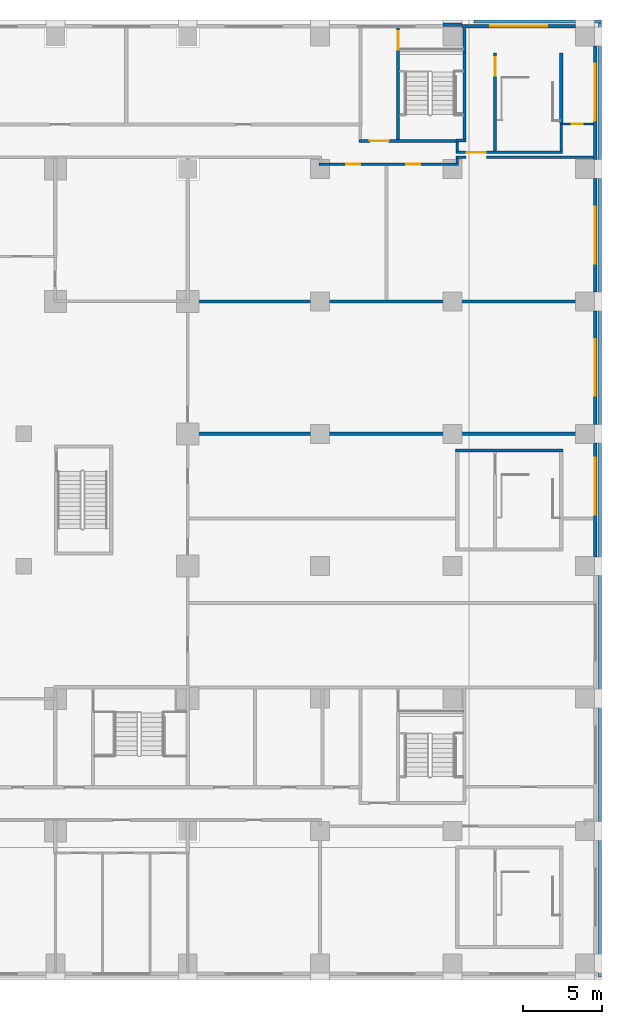
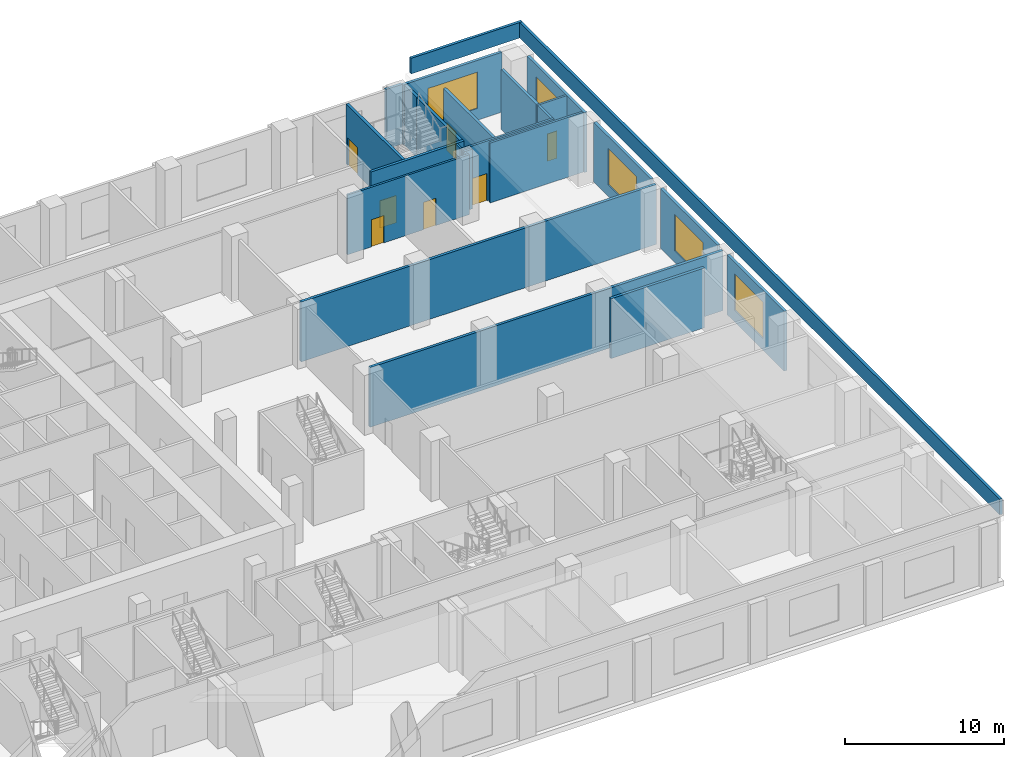
# One storey, part 12 of 23: 26 walls, 7 doors, 5 windows, 12 openings.
"""IFC4 building model written with IfcOpenShell, lengths in metres."""

import ifcopenshell
import ifcopenshell.guid

model = None  # the IFC model being written
_history = None  # IfcOwnerHistory: only IFC2X3 demands one
_inside = {}  # id of a spatial element -> (the spatial element, [elements in it])
_under = {}  # id of a project, library or spatial element -> (it, [spatial elements below it])
_declared = {}  # id of a project -> (the project, [libraries it declares])
_typed = {}  # id of a type object -> (the type object, [elements of that type])
_made_of = {}  # id of a material, layer set ... -> (it, [elements and type objects made of it])


def new_model(schema):
    """Start an empty IFC model of exactly this schema.

    Asked for "IFC4X3", IfcOpenShell would pick the latest addendum, in which some entities
    have other attributes; the version numbers below select the first issue.
    IFC2X3 requires an IfcOwnerHistory on every rooted entity: one is made here for all.
    """
    global model, _history
    if schema == "IFC4X3":
        model = ifcopenshell.file(schema_version=(4, 3, 0, 0))
    else:
        model = ifcopenshell.file(schema=schema)
    _inside.clear()
    _under.clear()
    _declared.clear()
    _typed.clear()
    _made_of.clear()
    _history = None
    if model.schema == "IFC2X3":
        org = make("IfcOrganization", Name="unknown")
        user = make(
            "IfcPersonAndOrganization",
            ThePerson=make("IfcPerson", FamilyName="unknown"),
            TheOrganization=org,
        )
        app = make(
            "IfcApplication",
            ApplicationDeveloper=org,
            Version="unknown",
            ApplicationFullName="unknown",
            ApplicationIdentifier="unknown",
        )
        _history = make(
            "IfcOwnerHistory",
            OwningUser=user,
            OwningApplication=app,
            ChangeAction="ADDED",
            CreationDate=0,
        )
    return model


def make(cls, **values):
    """One entity of the class cls with the attributes given. An attribute that is None is left unset."""
    return model.create_entity(
        cls, **{name: value for name, value in values.items() if value is not None}
    )


def rooted(cls, **values):
    """An entity with a GlobalId (a new one), such as an element, a storey or a relation."""
    return make(cls, GlobalId=ifcopenshell.guid.new(), OwnerHistory=_history, **values)


def si_unit(unit_type, name, prefix=None):
    """IfcSIUnit, for example si_unit("LENGTHUNIT", "METRE", prefix="MILLI")."""
    return make("IfcSIUnit", UnitType=unit_type, Prefix=prefix, Name=name)


def assignment(units):
    """IfcUnitAssignment: the units of a project."""
    return None if units is None else make("IfcUnitAssignment", Units=units)


def point(xyz):
    """IfcCartesianPoint."""
    return None if xyz is None else make("IfcCartesianPoint", Coordinates=xyz)


def direction(xyz):
    """IfcDirection."""
    return None if xyz is None else make("IfcDirection", DirectionRatios=xyz)


def frame(location, z_axis=None, x_axis=None):
    """IfcAxis2Placement3D, a coordinate frame: its origin and axes. An axis left out is left unset."""
    return make(
        "IfcAxis2Placement3D",
        Location=point(location),
        Axis=direction(z_axis),
        RefDirection=direction(x_axis),
    )


def frame_2d(location, x_axis=None):
    """IfcAxis2Placement2D, a coordinate frame in the plane: its origin and x axis."""
    return make(
        "IfcAxis2Placement2D", Location=point(location), RefDirection=direction(x_axis)
    )


def origin():
    """The frame at (0, 0, 0) with its axes left unset."""
    return frame((0.0, 0.0, 0.0))


def place(relative_to, where):
    """IfcLocalPlacement: puts the frame where relative to a parent placement (None: the world)."""
    return make(
        "IfcLocalPlacement", PlacementRelTo=relative_to, RelativePlacement=where
    )


def context(
    kind, dimensions, precision=None, world=None, true_north=None, identifier=None
):
    """IfcGeometricRepresentationContext, for example the 3D "Model" context."""
    return make(
        "IfcGeometricRepresentationContext",
        ContextIdentifier=identifier,
        ContextType=kind,
        CoordinateSpaceDimension=dimensions,
        Precision=precision,
        WorldCoordinateSystem=world,
        TrueNorth=true_north,
    )


def subcontext(parent, identifier, kind, view, scale=None):
    """IfcGeometricRepresentationSubContext, for example "Body" below "Model"."""
    return make(
        "IfcGeometricRepresentationSubContext",
        ContextIdentifier=identifier,
        ContextType=kind,
        ParentContext=parent,
        TargetScale=scale,
        TargetView=view,
    )


def project(units=None, contexts=None):
    """IfcProject with its units and contexts."""
    return rooted(
        "IfcProject",
        Name="project",
        RepresentationContexts=contexts,
        UnitsInContext=assignment(units),
    )


def spatial(cls, under=None, at=None, **own):
    """A site, building, storey or space (cls), placed at a placement, below another one or the project."""
    s = rooted(cls, ObjectPlacement=at, **own)
    if under is not None:
        _under.setdefault(under.id(), (under, []))[1].append(s)
    return s


def profile(cls, at=None, kind="AREA", **sizes):
    """A parametric profile (cls). Its sizes go by their IFC names, for example OverallWidth=200.0."""
    return make(cls, ProfileType=kind, Position=at, **sizes)


def rectangle(**sizes):
    """IfcRectangleProfileDef."""
    return profile("IfcRectangleProfileDef", **sizes)


def extrude(swept, where, along, depth):
    """IfcExtrudedAreaSolid: the profile swept, set in the frame where, extruded along a direction by depth."""
    return make(
        "IfcExtrudedAreaSolid",
        SweptArea=swept,
        Position=where,
        ExtrudedDirection=direction(along),
        Depth=depth,
    )


def shape(context_of_items, identifier, shape_type, items):
    """IfcShapeRepresentation: the items that make up one representation, for example the "Body"."""
    return make(
        "IfcShapeRepresentation",
        ContextOfItems=context_of_items,
        RepresentationIdentifier=identifier,
        RepresentationType=shape_type,
        Items=items,
    )


def material(Name=None, Category=None):
    """IfcMaterial."""
    return make("IfcMaterial", Name=Name, Category=Category)


def layer(
    of_material, thickness, ventilated=None, Name=None, Category=None, Priority=None
):
    """IfcMaterialLayer: one layer of a wall or slab, of a material (None: an air gap)."""
    return make(
        "IfcMaterialLayer",
        Material=of_material,
        LayerThickness=thickness,
        IsVentilated=ventilated,
        Name=Name,
        Category=Category,
        Priority=Priority,
    )


def layer_set(layers, Name=None):
    """IfcMaterialLayerSet."""
    return make("IfcMaterialLayerSet", MaterialLayers=layers, LayerSetName=Name)


def made_of(thing, what):
    """Note that an element or type object is made of a material, layer set ...; save() writes the relation."""
    if what is not None:
        _made_of.setdefault(what.id(), (what, []))[1].append(thing)
    return thing


def type_object(cls, material=None, **own):
    """A type object (cls), such as IfcWallType, which elements share."""
    return made_of(rooted(cls, **own), material)


def element(
    cls,
    number,
    at=None,
    inside=None,
    cuts=None,
    type_object=None,
    material=None,
    context=None,
    identifier="Body",
    shape_type=None,
    held_by="IfcProductDefinitionShape",
    body=None,
    shapes=None,
    **own,
):
    """One element of the class cls, such as IfcWall. Its Tag is "e" and its number.

    at: its placement. inside: the storey or other place that contains it. cuts: it is an
    opening in that element (IfcRelVoidsElement). A single representation is given by context,
    identifier, shape_type and body (its items); several are given by shapes. held_by: the class
    of the entity that holds the representations. save() writes the other relations.
    """
    e = rooted(cls, Tag="e%d" % number, ObjectPlacement=at, **own)
    if body is not None:
        shapes = [shape(context, identifier, shape_type, body)]
    if shapes is not None:
        e.Representation = make(held_by, Representations=shapes)
    if inside is not None:
        _inside.setdefault(inside.id(), (inside, []))[1].append(e)
    if cuts is not None:
        rooted(
            "IfcRelVoidsElement", RelatingBuildingElement=cuts, RelatedOpeningElement=e
        )
    if type_object is not None:
        _typed.setdefault(type_object.id(), (type_object, []))[1].append(e)
    return made_of(e, material)


def fill(opening, filler):
    """IfcRelFillsElement: the door or window that sits in an opening."""
    return rooted(
        "IfcRelFillsElement",
        RelatingOpeningElement=opening,
        RelatedBuildingElement=filler,
    )


def aggregate(whole, parts):
    """IfcRelAggregates: a whole, such as a stair, and the parts it consists of."""
    return rooted("IfcRelAggregates", RelatingObject=whole, RelatedObjects=parts)


def save(model, path):
    """Write the relations noted so far, then the file.

    IfcRelAggregates (storeys below a building ...), IfcRelContainedInSpatialStructure (elements
    in a storey), IfcRelDefinesByType, IfcRelAssociatesMaterial and IfcRelDeclares: one each for
    every whole, place, type object, material and project.
    """
    for whole, parts in _under.values():
        aggregate(whole, parts)
    for where, things in _inside.values():
        rooted(
            "IfcRelContainedInSpatialStructure",
            RelatedElements=things,
            RelatingStructure=where,
        )
    for kind, things in _typed.values():
        rooted("IfcRelDefinesByType", RelatedObjects=things, RelatingType=kind)
    for what, things in _made_of.values():
        rooted("IfcRelAssociatesMaterial", RelatedObjects=things, RelatingMaterial=what)
    for by, libraries in _declared.values():
        rooted("IfcRelDeclares", RelatingContext=by, RelatedDefinitions=libraries)
    model.write(path)


model = new_model("IFC4")

# Units and contexts
model_context = context("Model", 3, precision=1e-05, world=origin(), true_north=direction((0.0, 1.0)))
body_context = subcontext(model_context, "Body", "Model", "MODEL_VIEW")
ifc_project = project(units=[si_unit("LENGTHUNIT", "METRE"), si_unit("AREAUNIT", "SQUARE_METRE"), si_unit("VOLUMEUNIT", "CUBIC_METRE"), si_unit("PLANEANGLEUNIT", "RADIAN"), si_unit("MASSUNIT", "GRAM", prefix="KILO")], contexts=[model_context])

# Site, building, storey
site_placement = place(None, origin())
site = spatial("IfcSite", under=ifc_project, at=site_placement, CompositionType="ELEMENT")
building_placement = place(site_placement, origin())
building = spatial("IfcBuilding", under=site, at=building_placement, Name="Vermilion Ogive Tower", CompositionType="ELEMENT")
storey_placement = place(building_placement, frame((0.0, 0.0, 20.0)))
storey = spatial("IfcBuildingStorey", under=building, at=storey_placement, Name="L03", CompositionType="ELEMENT", Elevation=20.0)

# Wall, openings, doors
ifc_material_1 = material(Name="Gypsum board partition on steel studs", Category="steel")
ifc_layer_1 = layer(ifc_material_1, 0.14990234375)
ifc_layer_set_1 = layer_set([ifc_layer_1], Name="Partition 150 corridor")
wall_type_1 = type_object("IfcWallType", Name="Partition 150 corridor", PredefinedType="PARTITIONING", material=ifc_layer_set_1)
wall_1_placement = place(storey_placement, frame((33.52490234375, 21.300048828125, 0.0), z_axis=(0.0, 0.0, 1.0), x_axis=(1.0, 0.0, 0.0)))
wall_1 = element("IfcWall", 1, at=wall_1_placement, inside=storey, type_object=wall_type_1, Name="L03-FS-W-W032", PredefinedType="PARTITIONING", context=body_context, shape_type="SweptSolid", body=[
    extrude(rectangle(XDim=8.85009765625, YDim=0.14990234375, at=frame_2d((4.425048828125, 0.0))), origin(), (0.0, 0.0, 1.0), 4.60009765625),
])
opening_1_placement = place(wall_1_placement, frame((1.72509765625, 0.0, 0.0)))
opening_1 = element("IfcOpeningElement", 2, at=opening_1_placement, cuts=wall_1, Name="Opening L03S034", PredefinedType="OPENING", context=body_context, shape_type="SweptSolid", body=[
    extrude(rectangle(XDim=0.89990234375, YDim=2.10009765625, at=frame_2d((0.449951171875, 1.050048828125))), frame((0.0, 0.0849609375, 0.0), z_axis=(0.0, -1.0, 0.0), x_axis=(1.0, 0.0, 0.0)), (0.0, 0.0, 1.0), 0.169921875),
])
opening_2_placement = place(wall_1_placement, frame((5.525146484375, 0.0, 0.0)))
opening_2 = element("IfcOpeningElement", 3, at=opening_2_placement, cuts=wall_1, Name="Opening L03S035", PredefinedType="OPENING", context=body_context, shape_type="SweptSolid", body=[
    extrude(rectangle(XDim=0.89990234375, YDim=2.10009765625, at=frame_2d((0.449951171875, 1.050048828125))), frame((0.0, 0.0849609375, 0.0), z_axis=(0.0, -1.0, 0.0), x_axis=(1.0, 0.0, 0.0)), (0.0, 0.0, 1.0), 0.169921875),
])
ifc_material_2 = material(Name="Timber door leaf", Category="wood")
door_type_1 = type_object("IfcDoorType", Name="Room door 900 x 2100 FD30", OperationType="SINGLE_SWING_LEFT", PredefinedType="DOOR", material=ifc_material_2)
door_1_placement = place(opening_1_placement, origin())
door_1 = element("IfcDoor", 4, at=door_1_placement, inside=storey, type_object=door_type_1, Name="L03-FS-D-D034", OperationType="SINGLE_SWING_LEFT", OverallHeight=2.10009765625, OverallWidth=0.89990234375, PredefinedType="DOOR", context=body_context, shape_type="SweptSolid", body=[
    extrude(rectangle(XDim=0.89990234375, YDim=2.10009765625, at=frame_2d((0.449951171875, 1.050048828125))), frame((0.0, 0.02490234375, 0.0), z_axis=(0.0, -1.0, 0.0), x_axis=(1.0, 0.0, 0.0)), (0.0, 0.0, 1.0), 0.050048828125),
])
fill(opening_1, door_1)
door_2_placement = place(opening_2_placement, origin())
door_2 = element("IfcDoor", 5, at=door_2_placement, inside=storey, type_object=door_type_1, Name="L03-FS-D-D035", OperationType="SINGLE_SWING_LEFT", OverallHeight=2.10009765625, OverallWidth=0.89990234375, PredefinedType="DOOR", context=body_context, shape_type="SweptSolid", body=[
    extrude(rectangle(XDim=0.89990234375, YDim=2.10009765625, at=frame_2d((0.449951171875, 1.050048828125))), frame((0.0, 0.02490234375, 0.0), z_axis=(0.0, -1.0, 0.0), x_axis=(1.0, 0.0, 0.0)), (0.0, 0.0, 1.0), 0.050048828125),
])
fill(opening_2, door_2)

# Wall
wall_2_placement = place(storey_placement, frame((42.22509765625, 21.75, 0.0), z_axis=(0.0, 0.0, 1.0), x_axis=(1.0, 0.0, 0.0)))
element("IfcWall", 6, at=wall_2_placement, inside=storey, type_object=wall_type_1, Name="L03-FS-W-W035", PredefinedType="PARTITIONING", context=body_context, shape_type="SweptSolid", body=[
    extrude(rectangle(XDim=0.624755859375, YDim=0.14990234375, at=frame_2d((0.3125, 0.0))), origin(), (0.0, 0.0, 1.0), 4.60009765625),
])

# Wall, opening, door
wall_3_placement = place(storey_placement, frame((42.22509765625, 22.050048828125, 0.0), z_axis=(0.0, 0.0, 1.0), x_axis=(1.0, 0.0, 0.0)))
wall_3 = element("IfcWall", 7, at=wall_3_placement, inside=storey, type_object=wall_type_1, Name="L03-FS-W-W036", PredefinedType="PARTITIONING", context=body_context, shape_type="SweptSolid", body=[
    extrude(rectangle(XDim=6.75, YDim=0.14990234375, at=frame_2d((3.375, 0.0))), origin(), (0.0, 0.0, 1.0), 4.60009765625),
])
opening_3_placement = place(wall_3_placement, frame((0.6748046875, 0.0, 0.0)))
opening_3 = element("IfcOpeningElement", 8, at=opening_3_placement, cuts=wall_3, Name="Opening L03S016", PredefinedType="OPENING", context=body_context, shape_type="SweptSolid", body=[
    extrude(rectangle(XDim=1.199951171875, YDim=2.10009765625, at=frame_2d((0.60009765625, 1.050048828125))), frame((0.0, 0.0849609375, 0.0), z_axis=(0.0, -1.0, 0.0), x_axis=(1.0, 0.0, 0.0)), (0.0, 0.0, 1.0), 0.169921875),
])
ifc_material_3 = material(Name="Timber door leaf", Category="wood")
door_type_2 = type_object("IfcDoorType", Name="Stair door 1200 x 2100 FD60S", OperationType="SINGLE_SWING_LEFT", PredefinedType="DOOR", material=ifc_material_3)
door_3_placement = place(opening_3_placement, origin())
door_3 = element("IfcDoor", 9, at=door_3_placement, inside=storey, type_object=door_type_2, Name="L03-FS-D-D016", OperationType="SINGLE_SWING_LEFT", OverallHeight=2.10009765625, OverallWidth=1.199951171875, PredefinedType="DOOR", context=body_context, shape_type="SweptSolid", body=[
    extrude(rectangle(XDim=1.199951171875, YDim=2.10009765625, at=frame_2d((0.60009765625, 1.050048828125))), frame((0.0, 0.02490234375, 0.0), z_axis=(0.0, -1.0, 0.0), x_axis=(1.0, 0.0, 0.0)), (0.0, 0.0, 1.0), 0.050048828125),
])
fill(opening_3, door_3)

wall_4_placement = place(storey_placement, frame((48.8125, 23.85009765625, 0.0), z_axis=(0.0, 0.0, 1.0), x_axis=(1.0, 0.0, 0.0)))
wall_4 = element("IfcWall", 10, at=wall_4_placement, inside=storey, type_object=wall_type_1, Name="L03-FS-W-W042", PredefinedType="PARTITIONING", context=body_context, shape_type="SweptSolid", body=[
    extrude(rectangle(XDim=2.137451171875, YDim=0.14990234375, at=frame_2d((1.06884765625, 0.0))), origin(), (0.0, 0.0, 1.0), 4.60009765625),
])
opening_4_placement = place(wall_4_placement, frame((0.762451171875, 0.0, 0.0)))
opening_4 = element("IfcOpeningElement", 11, at=opening_4_placement, cuts=wall_4, Name="Opening L03S055", PredefinedType="OPENING", context=body_context, shape_type="SweptSolid", body=[
    extrude(rectangle(XDim=0.699951171875, YDim=2.10009765625, at=frame_2d((0.35009765625, 1.050048828125))), frame((0.0, 0.0849609375, 0.0), z_axis=(0.0, -1.0, 0.0), x_axis=(1.0, 0.0, 0.0)), (0.0, 0.0, 1.0), 0.169921875),
])
ifc_material_4 = material(Name="Timber door leaf", Category="wood")
door_type_3 = type_object("IfcDoorType", Name="Room door 700 x 2100 FD30", OperationType="SINGLE_SWING_LEFT", PredefinedType="DOOR", material=ifc_material_4)
door_4_placement = place(opening_4_placement, origin())
door_4 = element("IfcDoor", 12, at=door_4_placement, inside=storey, type_object=door_type_3, Name="L03-FS-D-D055", OperationType="SINGLE_SWING_RIGHT", OverallHeight=2.10009765625, OverallWidth=0.699951171875, PredefinedType="DOOR", context=body_context, shape_type="SweptSolid", body=[
    extrude(rectangle(XDim=0.699951171875, YDim=2.10009765625, at=frame_2d((0.35009765625, 1.050048828125))), frame((0.0, 0.02490234375, 0.0), z_axis=(0.0, -1.0, 0.0), x_axis=(1.0, 0.0, 0.0)), (0.0, 0.0, 1.0), 0.050048828125),
])
fill(opening_4, door_4)

# Walls
wall_5_placement = place(storey_placement, frame((42.300048828125, 21.375, 0.0), z_axis=(0.0, 0.0, 1.0), x_axis=(0.0, 1.0, 0.0)))
element("IfcWall", 13, at=wall_5_placement, inside=storey, type_object=wall_type_1, Name="L03-FS-W-W095", PredefinedType="PARTITIONING", context=body_context, shape_type="SweptSolid", body=[
    extrude(rectangle(XDim=0.300048828125, YDim=0.14990234375, at=frame_2d((0.14990234375, 0.0))), origin(), (0.0, 0.0, 1.0), 4.60009765625),
])
wall_6_placement = place(storey_placement, frame((42.300048828125, 22.125, 0.0), z_axis=(0.0, 0.0, 1.0), x_axis=(0.0, 1.0, 0.0)))
element("IfcWall", 14, at=wall_6_placement, inside=storey, type_object=wall_type_1, Name="L03-FS-W-W096", PredefinedType="PARTITIONING", context=body_context, shape_type="SweptSolid", body=[
    extrude(rectangle(XDim=0.574951171875, YDim=0.14990234375, at=frame_2d((0.28759765625, 0.0))), origin(), (0.0, 0.0, 1.0), 4.60009765625),
])
wall_7_placement = place(storey_placement, frame((48.89990234375, 22.125, 0.0), z_axis=(0.0, 0.0, 1.0), x_axis=(0.0, 1.0, 0.0)))
element("IfcWall", 15, at=wall_7_placement, inside=storey, type_object=wall_type_1, Name="L03-FS-W-W105", PredefinedType="PARTITIONING", context=body_context, shape_type="SweptSolid", body=[
    extrude(rectangle(XDim=1.64990234375, YDim=0.14990234375, at=frame_2d((0.824951171875, 0.0))), origin(), (0.0, 0.0, 1.0), 4.60009765625),
])
wall_8_placement = place(storey_placement, frame((44.14990234375, 21.75, 0.0), z_axis=(0.0, 0.0, 1.0), x_axis=(1.0, 0.0, 0.0)))
element("IfcWall", 16, at=wall_8_placement, inside=storey, type_object=wall_type_1, Name="L03-FS-W-W035-DO", PredefinedType="PARTITIONING", context=body_context, shape_type="SweptSolid", body=[
    extrude(rectangle(XDim=6.800048828125, YDim=0.14990234375, at=frame_2d((3.39990234375, 0.0))), origin(), (0.0, 0.0, 1.0), 4.60009765625),
])
ifc_material_5 = material(Name="Gypsum board partition on steel studs", Category="steel")
ifc_layer_2 = layer(ifc_material_5, 0.199951171875)
ifc_layer_set_2 = layer_set([ifc_layer_2], Name="Partition 200 party")
wall_type_2 = type_object("IfcWallType", Name="Partition 200 party", PredefinedType="PARTITIONING", material=ifc_layer_set_2)
wall_9_placement = place(storey_placement, frame((42.199951171875, 3.14990234375, 0.0), z_axis=(0.0, 0.0, 1.0), x_axis=(1.0, 0.0, 0.0)))
element("IfcWall", 17, at=wall_9_placement, inside=storey, type_object=wall_type_2, Name="L03-FS-W-W026", PredefinedType="PARTITIONING", context=body_context, shape_type="SweptSolid", body=[
    extrude(rectangle(XDim=6.800048828125, YDim=0.199951171875, at=frame_2d((3.39990234375, 0.0))), origin(), (0.0, 0.0, 1.0), 4.60009765625),
])
wall_10_placement = place(storey_placement, frame((25.27490234375, 4.199951171875, 0.0), z_axis=(0.0, 0.0, 1.0), x_axis=(1.0, 0.0, 0.0)))
element("IfcWall", 18, at=wall_10_placement, inside=storey, type_object=wall_type_2, Name="L03-FS-W-W027", PredefinedType="PARTITIONING", context=body_context, shape_type="SweptSolid", body=[
    extrude(rectangle(XDim=25.675048828125, YDim=0.199951171875, at=frame_2d((12.83740234375, 0.0))), origin(), (0.0, 0.0, 1.0), 4.60009765625),
])
wall_11_placement = place(storey_placement, frame((25.10009765625, 12.60009765625, 0.0), z_axis=(0.0, 0.0, 1.0), x_axis=(1.0, 0.0, 0.0)))
element("IfcWall", 19, at=wall_11_placement, inside=storey, type_object=wall_type_2, Name="L03-FS-W-W030", PredefinedType="PARTITIONING", context=body_context, shape_type="SweptSolid", body=[
    extrude(rectangle(XDim=25.849853515625, YDim=0.199951171875, at=frame_2d((12.9248046875, 0.0))), origin(), (0.0, 0.0, 1.0), 4.60009765625),
])

# Wall, opening, door
wall_12_placement = place(storey_placement, frame((44.699951171875, 22.125, 0.0), z_axis=(0.0, 0.0, 1.0), x_axis=(0.0, 1.0, 0.0)))
wall_12 = element("IfcWall", 20, at=wall_12_placement, inside=storey, type_object=wall_type_2, Name="L03-FS-W-W102", PredefinedType="PARTITIONING", context=body_context, shape_type="SweptSolid", body=[
    extrude(rectangle(XDim=6.22509765625, YDim=0.199951171875, at=frame_2d((3.112548828125, 0.0))), origin(), (0.0, 0.0, 1.0), 4.60009765625),
])
opening_5_placement = place(wall_12_placement, frame((4.77490234375, 0.0, 0.0)))
opening_5 = element("IfcOpeningElement", 21, at=opening_5_placement, cuts=wall_12, Name="Opening L03S007", PredefinedType="OPENING", context=body_context, shape_type="SweptSolid", body=[
    extrude(rectangle(XDim=1.199951171875, YDim=2.10009765625, at=frame_2d((0.60009765625, 1.050048828125))), frame((0.0, 0.10986328125, 0.0), z_axis=(0.0, -1.0, 0.0), x_axis=(1.0, 0.0, 0.0)), (0.0, 0.0, 1.0), 0.219970703125),
])
door_5_placement = place(opening_5_placement, origin())
door_5 = element("IfcDoor", 22, at=door_5_placement, inside=storey, type_object=door_type_2, Name="L03-FS-D-D007", OperationType="DOUBLE_DOOR_SINGLE_SWING", OverallHeight=2.10009765625, OverallWidth=1.199951171875, PredefinedType="DOOR", context=body_context, shape_type="SweptSolid", body=[
    extrude(rectangle(XDim=1.199951171875, YDim=2.10009765625, at=frame_2d((0.60009765625, 1.050048828125))), frame((0.0, 0.02490234375, 0.0), z_axis=(0.0, -1.0, 0.0), x_axis=(1.0, 0.0, 0.0)), (0.0, 0.0, 1.0), 0.050048828125),
])
fill(opening_5, door_5)

# Wall
wall_13_placement = place(storey_placement, frame((48.89990234375, 23.925048828125, 0.0), z_axis=(0.0, 0.0, 1.0), x_axis=(0.0, 1.0, 0.0)))
element("IfcWall", 23, at=wall_13_placement, inside=storey, type_object=wall_type_2, Name="L03-FS-W-W106", PredefinedType="PARTITIONING", context=body_context, shape_type="SweptSolid", body=[
    extrude(rectangle(XDim=4.425048828125, YDim=0.199951171875, at=frame_2d((2.21240234375, 0.0))), origin(), (0.0, 0.0, 1.0), 4.60009765625),
])

# Wall, opening, door
ifc_material_6 = material(Name="Concrete B60", Category="concrete")
ifc_layer_3 = layer(ifc_material_6, 0.199951171875)
ifc_layer_set_3 = layer_set([ifc_layer_3], Name="Stair shaft wall 200 Concrete B60")
wall_type_3 = type_object("IfcWallType", Name="Stair shaft wall 200 Concrete B60", PredefinedType="SOLIDWALL", material=ifc_layer_set_3)
wall_14_placement = place(storey_placement, frame((36.074951171875, 22.775146484375, 0.0), z_axis=(0.0, 0.0, 1.0), x_axis=(1.0, 0.0, 0.0)))
wall_14 = element("IfcWall", 24, at=wall_14_placement, inside=storey, type_object=wall_type_3, Name="L03-FS-W-W037", PredefinedType="SOLIDWALL", context=body_context, shape_type="SweptSolid", body=[
    extrude(rectangle(XDim=6.300048828125, YDim=0.199951171875, at=frame_2d((3.14990234375, 0.0))), origin(), (0.0, 0.0, 1.0), 4.60009765625),
])
opening_6_placement = place(wall_14_placement, frame((0.675048828125, 0.0, 0.0)))
opening_6 = element("IfcOpeningElement", 25, at=opening_6_placement, cuts=wall_14, Name="Opening L03S011", PredefinedType="OPENING", context=body_context, shape_type="SweptSolid", body=[
    extrude(rectangle(XDim=1.199951171875, YDim=2.10009765625, at=frame_2d((0.60009765625, 1.050048828125))), frame((0.0, 0.10986328125, 0.0), z_axis=(0.0, -1.0, 0.0), x_axis=(1.0, 0.0, 0.0)), (0.0, 0.0, 1.0), 0.219970703125),
])
door_6_placement = place(opening_6_placement, origin())
door_6 = element("IfcDoor", 26, at=door_6_placement, inside=storey, type_object=door_type_2, Name="L03-FS-D-D011", OperationType="SINGLE_SWING_LEFT", OverallHeight=2.10009765625, OverallWidth=1.199951171875, PredefinedType="DOOR", context=body_context, shape_type="SweptSolid", body=[
    extrude(rectangle(XDim=1.199951171875, YDim=2.10009765625, at=frame_2d((0.60009765625, 1.050048828125))), frame((0.0, 0.02490234375, 0.0), z_axis=(0.0, -1.0, 0.0), x_axis=(1.0, 0.0, 0.0)), (0.0, 0.0, 1.0), 0.050048828125),
])
fill(opening_6, door_6)

# Wall
wall_15_placement = place(storey_placement, frame((42.22509765625, 22.800048828125, 0.0), z_axis=(0.0, 0.0, 1.0), x_axis=(1.0, 0.0, 0.0)))
element("IfcWall", 27, at=wall_15_placement, inside=storey, type_object=wall_type_3, Name="L03-FS-W-W038", PredefinedType="SOLIDWALL", context=body_context, shape_type="SweptSolid", body=[
    extrude(rectangle(XDim=0.625, YDim=0.199951171875, at=frame_2d((0.3125, 0.0))), origin(), (0.0, 0.0, 1.0), 4.60009765625),
])

# Wall, opening, door
wall_16_placement = place(storey_placement, frame((38.550048828125, 22.875, 0.0), z_axis=(0.0, 0.0, 1.0), x_axis=(0.0, 1.0, 0.0)))
wall_16 = element("IfcWall", 28, at=wall_16_placement, inside=storey, type_object=wall_type_3, Name="L03-FS-W-W092", PredefinedType="SOLIDWALL", context=body_context, shape_type="SweptSolid", body=[
    extrude(rectangle(XDim=7.074951171875, YDim=0.199951171875, at=frame_2d((3.53759765625, 0.0))), origin(), (0.0, 0.0, 1.0), 4.60009765625),
])
opening_7_placement = place(wall_16_placement, frame((5.675048828125, 0.0, 0.0)))
opening_7 = element("IfcOpeningElement", 29, at=opening_7_placement, cuts=wall_16, Name="Opening L03S002", PredefinedType="OPENING", context=body_context, shape_type="SweptSolid", body=[
    extrude(rectangle(XDim=1.199951171875, YDim=2.10009765625, at=frame_2d((0.60009765625, 1.050048828125))), frame((0.0, 0.10986328125, 0.0), z_axis=(0.0, -1.0, 0.0), x_axis=(1.0, 0.0, 0.0)), (0.0, 0.0, 1.0), 0.219970703125),
])
door_7_placement = place(opening_7_placement, origin())
door_7 = element("IfcDoor", 30, at=door_7_placement, inside=storey, type_object=door_type_2, Name="L03-FS-D-D002", OperationType="DOUBLE_DOOR_SINGLE_SWING", OverallHeight=2.10009765625, OverallWidth=1.199951171875, PredefinedType="DOOR", context=body_context, shape_type="SweptSolid", body=[
    extrude(rectangle(XDim=1.199951171875, YDim=2.10009765625, at=frame_2d((0.60009765625, 1.050048828125))), frame((0.0, 0.02490234375, 0.0), z_axis=(0.0, -1.0, 0.0), x_axis=(1.0, 0.0, 0.0)), (0.0, 0.0, 1.0), 0.050048828125),
])
fill(opening_7, door_7)

# Walls
wall_17_placement = place(storey_placement, frame((42.75, 22.89990234375, 0.0), z_axis=(0.0, 0.0, 1.0), x_axis=(0.0, 1.0, 0.0)))
element("IfcWall", 31, at=wall_17_placement, inside=storey, type_object=wall_type_3, Name="L03-FS-W-W099", PredefinedType="SOLIDWALL", context=body_context, shape_type="SweptSolid", body=[
    extrude(rectangle(XDim=5.4501953125, YDim=0.199951171875, at=frame_2d((2.72509765625, 0.0))), origin(), (0.0, 0.0, 1.0), 4.60009765625),
])
wall_18_placement = place(storey_placement, frame((42.75, 28.35009765625, 0.0), z_axis=(0.0, 0.0, 1.0), x_axis=(0.0, 1.0, 0.0)))
element("IfcWall", 32, at=wall_18_placement, inside=storey, type_object=wall_type_3, Name="L03-SW-R003-E1", PredefinedType="SOLIDWALL", context=body_context, shape_type="SweptSolid", body=[
    extrude(rectangle(XDim=1.5498046875, YDim=0.199951171875, at=frame_2d((0.77490234375, 0.0))), origin(), (0.0, 0.0, 1.0), 4.60009765625),
])
wall_19_placement = place(storey_placement, frame((41.39990234375, 30.14990234375, 0.0), z_axis=(0.0, 0.0, 1.0), x_axis=(1.0, 0.0, 0.0)))
element("IfcWall", 33, at=wall_19_placement, inside=storey, type_object=wall_type_3, Name="L03-SW-R003-N1", PredefinedType="SOLIDWALL", context=body_context, shape_type="SweptSolid", body=[
    extrude(rectangle(XDim=1.2001953125, YDim=0.199951171875, at=frame_2d((0.60009765625, 0.0))), origin(), (0.0, 0.0, 1.0), 4.60009765625),
])
ifc_material_7 = material(Name="Concrete B45", Category="concrete")
ifc_layer_4 = layer(ifc_material_7, 0.199951171875)
ifc_layer_set_4 = layer_set([ifc_layer_4], Name="Terrace parapet RC Concrete B45")
wall_type_4 = type_object("IfcWallType", Name="Terrace parapet RC Concrete B45", PredefinedType="PARAPET", material=ifc_layer_set_4)
wall_20_placement = place(storey_placement, frame((43.35009765625, 30.35009765625, 5.0), z_axis=(0.0, 0.0, 1.0), x_axis=(1.0, 0.0, 0.0)))
element("IfcWall", 34, at=wall_20_placement, inside=storey, type_object=wall_type_4, Name="L03 terrace parapet 3", PredefinedType="PARAPET", context=body_context, shape_type="SweptSolid", body=[
    extrude(rectangle(XDim=8.099853515625, YDim=0.199951171875, at=frame_2d((4.0498046875, 0.0))), origin(), (0.0, 0.0, 1.0), 1.199951171875),
])
wall_21_placement = place(storey_placement, frame((51.35009765625, -30.25, 5.0), z_axis=(0.0, 0.0, 1.0), x_axis=(0.0, 1.0, 0.0)))
element("IfcWall", 35, at=wall_21_placement, inside=storey, type_object=wall_type_4, Name="L03 terrace parapet 4", PredefinedType="PARAPET", context=body_context, shape_type="SweptSolid", body=[
    extrude(rectangle(XDim=60.5, YDim=0.199951171875, at=frame_2d((30.25, 0.0))), origin(), (0.0, 0.0, 1.0), 1.199951171875),
])

# Wall, opening, window
ifc_material_8 = material(Name="Aluminium window wall framing", Category="aluminium")
ifc_layer_5 = layer(ifc_material_8, 0.199951171875)
ifc_layer_set_5 = layer_set([ifc_layer_5], Name="Window wall")
wall_type_5 = type_object("IfcWallType", Name="Window wall", PredefinedType="STANDARD", material=ifc_layer_set_5)
wall_22_placement = place(storey_placement, frame((51.050048828125, -3.60009765625, 0.0), z_axis=(0.0, 0.0, 1.0), x_axis=(0.0, 1.0, 0.0)))
wall_22 = element("IfcWall", 36, at=wall_22_placement, inside=storey, type_object=wall_type_5, Name="Window wall E4", PredefinedType="STANDARD", context=body_context, shape_type="SweptSolid", body=[
    extrude(rectangle(XDim=7.2001953125, YDim=0.199951171875, at=frame_2d((3.60009765625, 0.0))), origin(), (0.0, 0.0, 1.0), 4.60009765625),
])
opening_8_placement = place(wall_22_placement, frame((2.669921875, 0.0, 0.89990234375)))
opening_8 = element("IfcOpeningElement", 37, at=opening_8_placement, cuts=wall_22, Name="Opening P-E4", PredefinedType="OPENING", context=body_context, shape_type="SweptSolid", body=[
    extrude(rectangle(XDim=3.60009765625, YDim=2.800048828125, at=frame_2d((1.800048828125, 1.39990234375))), frame((0.0, 0.10986328125, 0.0), z_axis=(0.0, -1.0, 0.0), x_axis=(1.0, 0.0, 0.0)), (0.0, 0.0, 1.0), 0.219970703125),
])
ifc_material_9 = material(Name="Aluminium framed double glazing", Category="aluminium")
window_type = type_object("IfcWindowType", Name="Podium window P 3600x2800 sill 900", PartitioningType="SINGLE_PANEL", PredefinedType="WINDOW", material=ifc_material_9)
window_1_placement = place(opening_8_placement, origin())
window_1 = element("IfcWindow", 38, at=window_1_placement, inside=storey, type_object=window_type, Name="Window E4", OverallHeight=2.800048828125, OverallWidth=3.60009765625, PartitioningType="SINGLE_PANEL", PredefinedType="WINDOW", context=body_context, shape_type="SweptSolid", body=[
    extrude(rectangle(XDim=3.60009765625, YDim=2.800048828125, at=frame_2d((1.800048828125, 1.39990234375))), frame((0.0, 0.030029296875, 0.0), z_axis=(0.0, -1.0, 0.0), x_axis=(1.0, 0.0, 0.0)), (0.0, 0.0, 1.0), 0.06005859375),
])
fill(opening_8, window_1)

wall_23_placement = place(storey_placement, frame((51.050048828125, 4.800048828125, 0.0), z_axis=(0.0, 0.0, 1.0), x_axis=(0.0, 1.0, 0.0)))
wall_23 = element("IfcWall", 39, at=wall_23_placement, inside=storey, type_object=wall_type_5, Name="Window wall E5", PredefinedType="STANDARD", context=body_context, shape_type="SweptSolid", body=[
    extrude(rectangle(XDim=7.199951171875, YDim=0.199951171875, at=frame_2d((3.60009765625, 0.0))), origin(), (0.0, 0.0, 1.0), 4.60009765625),
])
opening_9_placement = place(wall_23_placement, frame((1.800048828125, 0.0, 0.89990234375)))
opening_9 = element("IfcOpeningElement", 40, at=opening_9_placement, cuts=wall_23, Name="Opening P-E5", PredefinedType="OPENING", context=body_context, shape_type="SweptSolid", body=[
    extrude(rectangle(XDim=3.60009765625, YDim=2.800048828125, at=frame_2d((1.800048828125, 1.39990234375))), frame((0.0, 0.10986328125, 0.0), z_axis=(0.0, -1.0, 0.0), x_axis=(1.0, 0.0, 0.0)), (0.0, 0.0, 1.0), 0.219970703125),
])
window_2_placement = place(opening_9_placement, origin())
window_2 = element("IfcWindow", 41, at=window_2_placement, inside=storey, type_object=window_type, Name="Window E5", OverallHeight=2.800048828125, OverallWidth=3.60009765625, PartitioningType="SINGLE_PANEL", PredefinedType="WINDOW", context=body_context, shape_type="SweptSolid", body=[
    extrude(rectangle(XDim=3.60009765625, YDim=2.800048828125, at=frame_2d((1.800048828125, 1.39990234375))), frame((0.0, 0.030029296875, 0.0), z_axis=(0.0, -1.0, 0.0), x_axis=(1.0, 0.0, 0.0)), (0.0, 0.0, 1.0), 0.06005859375),
])
fill(opening_9, window_2)

wall_24_placement = place(storey_placement, frame((51.050048828125, 13.199951171875, 0.0), z_axis=(0.0, 0.0, 1.0), x_axis=(0.0, 1.0, 0.0)))
wall_24 = element("IfcWall", 42, at=wall_24_placement, inside=storey, type_object=wall_type_5, Name="Window wall E6", PredefinedType="STANDARD", context=body_context, shape_type="SweptSolid", body=[
    extrude(rectangle(XDim=7.199951171875, YDim=0.199951171875, at=frame_2d((3.60009765625, 0.0))), origin(), (0.0, 0.0, 1.0), 4.60009765625),
])
opening_10_placement = place(wall_24_placement, frame((1.800048828125, 0.0, 0.89990234375)))
opening_10 = element("IfcOpeningElement", 43, at=opening_10_placement, cuts=wall_24, Name="Opening P-E6", PredefinedType="OPENING", context=body_context, shape_type="SweptSolid", body=[
    extrude(rectangle(XDim=3.60009765625, YDim=2.800048828125, at=frame_2d((1.800048828125, 1.39990234375))), frame((0.0, 0.10986328125, 0.0), z_axis=(0.0, -1.0, 0.0), x_axis=(1.0, 0.0, 0.0)), (0.0, 0.0, 1.0), 0.219970703125),
])
window_3_placement = place(opening_10_placement, origin())
window_3 = element("IfcWindow", 44, at=window_3_placement, inside=storey, type_object=window_type, Name="Window E6", OverallHeight=2.800048828125, OverallWidth=3.60009765625, PartitioningType="SINGLE_PANEL", PredefinedType="WINDOW", context=body_context, shape_type="SweptSolid", body=[
    extrude(rectangle(XDim=3.60009765625, YDim=2.800048828125, at=frame_2d((1.800048828125, 1.39990234375))), frame((0.0, 0.030029296875, 0.0), z_axis=(0.0, -1.0, 0.0), x_axis=(1.0, 0.0, 0.0)), (0.0, 0.0, 1.0), 0.06005859375),
])
fill(opening_10, window_3)

wall_25_placement = place(storey_placement, frame((51.050048828125, 21.60009765625, 0.0), z_axis=(0.0, 0.0, 1.0), x_axis=(0.0, 1.0, 0.0)))
wall_25 = element("IfcWall", 45, at=wall_25_placement, inside=storey, type_object=wall_type_5, Name="Window wall E7", PredefinedType="STANDARD", context=body_context, shape_type="SweptSolid", body=[
    extrude(rectangle(XDim=7.199951171875, YDim=0.199951171875, at=frame_2d((3.60009765625, 0.0))), origin(), (0.0, 0.0, 1.0), 4.60009765625),
])
opening_11_placement = place(wall_25_placement, frame((2.469970703125, 0.0, 0.89990234375)))
opening_11 = element("IfcOpeningElement", 46, at=opening_11_placement, cuts=wall_25, Name="Opening P-E7", PredefinedType="OPENING", context=body_context, shape_type="SweptSolid", body=[
    extrude(rectangle(XDim=3.60009765625, YDim=2.800048828125, at=frame_2d((1.800048828125, 1.39990234375))), frame((0.0, 0.10986328125, 0.0), z_axis=(0.0, -1.0, 0.0), x_axis=(1.0, 0.0, 0.0)), (0.0, 0.0, 1.0), 0.219970703125),
])
window_4_placement = place(opening_11_placement, origin())
window_4 = element("IfcWindow", 47, at=window_4_placement, inside=storey, type_object=window_type, Name="Window E7", OverallHeight=2.800048828125, OverallWidth=3.60009765625, PartitioningType="SINGLE_PANEL", PredefinedType="WINDOW", context=body_context, shape_type="SweptSolid", body=[
    extrude(rectangle(XDim=3.60009765625, YDim=2.800048828125, at=frame_2d((1.800048828125, 1.39990234375))), frame((0.0, 0.030029296875, 0.0), z_axis=(0.0, -1.0, 0.0), x_axis=(1.0, 0.0, 0.0)), (0.0, 0.0, 1.0), 0.06005859375),
])
fill(opening_11, window_4)

wall_26_placement = place(storey_placement, frame((49.800048828125, 30.050048828125, 0.0), z_axis=(0.0, 0.0, 1.0), x_axis=(-1.0, 0.0, 0.0)))
wall_26 = element("IfcWall", 48, at=wall_26_placement, inside=storey, type_object=wall_type_5, Name="Window wall N1", PredefinedType="STANDARD", context=body_context, shape_type="SweptSolid", body=[
    extrude(rectangle(XDim=7.199951171875, YDim=0.199951171875, at=frame_2d((3.60009765625, 0.0))), origin(), (0.0, 0.0, 1.0), 4.60009765625),
])
opening_12_placement = place(wall_26_placement, frame((1.800048828125, 0.0, 0.89990234375)))
opening_12 = element("IfcOpeningElement", 49, at=opening_12_placement, cuts=wall_26, Name="Opening P-N1", PredefinedType="OPENING", context=body_context, shape_type="SweptSolid", body=[
    extrude(rectangle(XDim=3.60009765625, YDim=2.800048828125, at=frame_2d((1.800048828125, 1.39990234375))), frame((0.0, 0.10986328125, 0.0), z_axis=(0.0, -1.0, 0.0), x_axis=(1.0, 0.0, 0.0)), (0.0, 0.0, 1.0), 0.219970703125),
])
window_5_placement = place(opening_12_placement, origin())
window_5 = element("IfcWindow", 50, at=window_5_placement, inside=storey, type_object=window_type, Name="Window N1", OverallHeight=2.800048828125, OverallWidth=3.60009765625, PartitioningType="SINGLE_PANEL", PredefinedType="WINDOW", context=body_context, shape_type="SweptSolid", body=[
    extrude(rectangle(XDim=3.60009765625, YDim=2.800048828125, at=frame_2d((1.800048828125, 1.39990234375))), frame((0.0, 0.030029296875, 0.0), z_axis=(0.0, -1.0, 0.0), x_axis=(1.0, 0.0, 0.0)), (0.0, 0.0, 1.0), 0.06005859375),
])
fill(opening_12, window_5)

save(model, "model.ifc")
